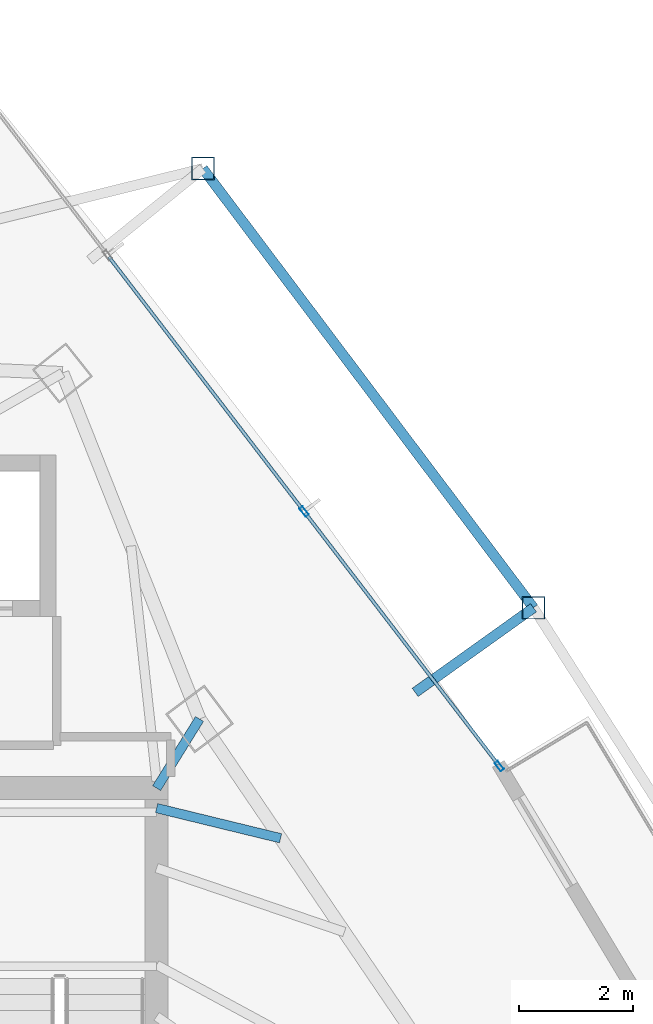
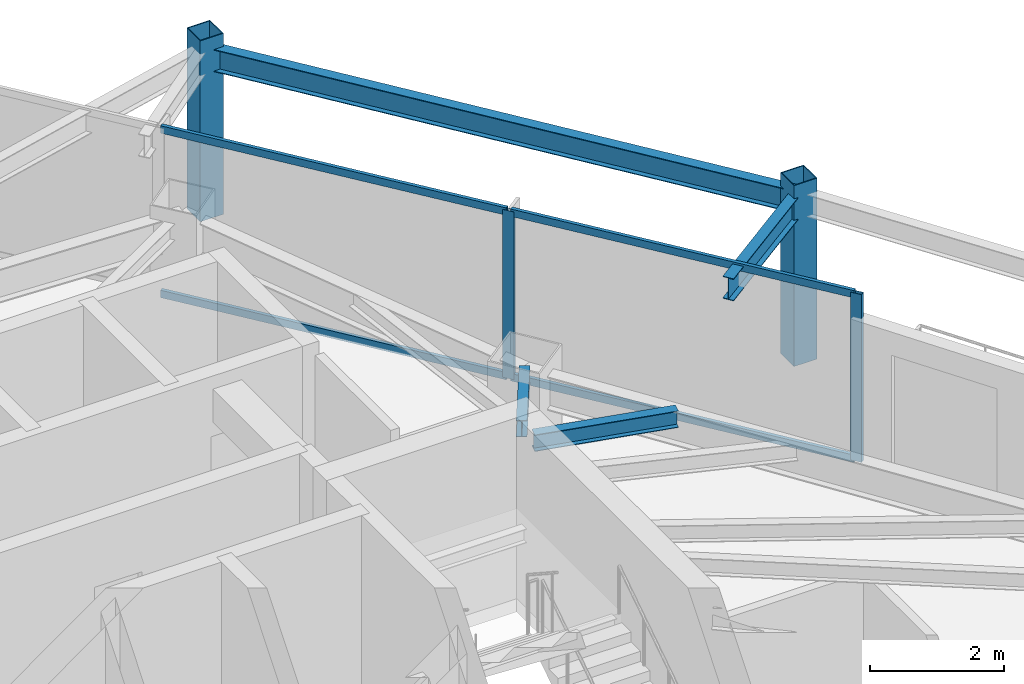
# One storey, part 23 of 30: 8 members, 4 beams, 1 element without a shape of its own.
"""IFC4 building model written with IfcOpenShell, lengths in metres."""

import ifcopenshell
import ifcopenshell.guid

model = None  # the IFC model being written
_history = None  # IfcOwnerHistory: only IFC2X3 demands one
_inside = {}  # id of a spatial element -> (the spatial element, [elements in it])
_under = {}  # id of a project, library or spatial element -> (it, [spatial elements below it])
_declared = {}  # id of a project -> (the project, [libraries it declares])
_typed = {}  # id of a type object -> (the type object, [elements of that type])
_made_of = {}  # id of a material, layer set ... -> (it, [elements and type objects made of it])


def new_model(schema):
    """Start an empty IFC model of exactly this schema.

    Asked for "IFC4X3", IfcOpenShell would pick the latest addendum, in which some entities
    have other attributes; the version numbers below select the first issue.
    IFC2X3 requires an IfcOwnerHistory on every rooted entity: one is made here for all.
    """
    global model, _history
    if schema == "IFC4X3":
        model = ifcopenshell.file(schema_version=(4, 3, 0, 0))
    else:
        model = ifcopenshell.file(schema=schema)
    _inside.clear()
    _under.clear()
    _declared.clear()
    _typed.clear()
    _made_of.clear()
    _history = None
    if model.schema == "IFC2X3":
        org = make("IfcOrganization", Name="unknown")
        user = make(
            "IfcPersonAndOrganization",
            ThePerson=make("IfcPerson", FamilyName="unknown"),
            TheOrganization=org,
        )
        app = make(
            "IfcApplication",
            ApplicationDeveloper=org,
            Version="unknown",
            ApplicationFullName="unknown",
            ApplicationIdentifier="unknown",
        )
        _history = make(
            "IfcOwnerHistory",
            OwningUser=user,
            OwningApplication=app,
            ChangeAction="ADDED",
            CreationDate=0,
        )
    return model


def make(cls, **values):
    """One entity of the class cls with the attributes given. An attribute that is None is left unset."""
    return model.create_entity(
        cls, **{name: value for name, value in values.items() if value is not None}
    )


def rooted(cls, **values):
    """An entity with a GlobalId (a new one), such as an element, a storey or a relation."""
    return make(cls, GlobalId=ifcopenshell.guid.new(), OwnerHistory=_history, **values)


def si_unit(unit_type, name, prefix=None):
    """IfcSIUnit, for example si_unit("LENGTHUNIT", "METRE", prefix="MILLI")."""
    return make("IfcSIUnit", UnitType=unit_type, Prefix=prefix, Name=name)


def assignment(units):
    """IfcUnitAssignment: the units of a project."""
    return None if units is None else make("IfcUnitAssignment", Units=units)


def point(xyz):
    """IfcCartesianPoint."""
    return None if xyz is None else make("IfcCartesianPoint", Coordinates=xyz)


def direction(xyz):
    """IfcDirection."""
    return None if xyz is None else make("IfcDirection", DirectionRatios=xyz)


def frame(location, z_axis=None, x_axis=None):
    """IfcAxis2Placement3D, a coordinate frame: its origin and axes. An axis left out is left unset."""
    return make(
        "IfcAxis2Placement3D",
        Location=point(location),
        Axis=direction(z_axis),
        RefDirection=direction(x_axis),
    )


def frame_2d(location, x_axis=None):
    """IfcAxis2Placement2D, a coordinate frame in the plane: its origin and x axis."""
    return make(
        "IfcAxis2Placement2D", Location=point(location), RefDirection=direction(x_axis)
    )


def origin():
    """The frame at (0, 0, 0) with its axes left unset."""
    return frame((0.0, 0.0, 0.0))


def origin_2d():
    """The frame at (0, 0) in the plane with its x axis left unset."""
    return frame_2d((0.0, 0.0))


def place(relative_to, where):
    """IfcLocalPlacement: puts the frame where relative to a parent placement (None: the world)."""
    return make(
        "IfcLocalPlacement", PlacementRelTo=relative_to, RelativePlacement=where
    )


def context(
    kind, dimensions, precision=None, world=None, true_north=None, identifier=None
):
    """IfcGeometricRepresentationContext, for example the 3D "Model" context."""
    return make(
        "IfcGeometricRepresentationContext",
        ContextIdentifier=identifier,
        ContextType=kind,
        CoordinateSpaceDimension=dimensions,
        Precision=precision,
        WorldCoordinateSystem=world,
        TrueNorth=true_north,
    )


def subcontext(parent, identifier, kind, view, scale=None):
    """IfcGeometricRepresentationSubContext, for example "Body" below "Model"."""
    return make(
        "IfcGeometricRepresentationSubContext",
        ContextIdentifier=identifier,
        ContextType=kind,
        ParentContext=parent,
        TargetScale=scale,
        TargetView=view,
    )


def project(units=None, contexts=None):
    """IfcProject with its units and contexts."""
    return rooted(
        "IfcProject",
        Name="project",
        RepresentationContexts=contexts,
        UnitsInContext=assignment(units),
    )


def spatial(cls, under=None, at=None, **own):
    """A site, building, storey or space (cls), placed at a placement, below another one or the project."""
    s = rooted(cls, ObjectPlacement=at, **own)
    if under is not None:
        _under.setdefault(under.id(), (under, []))[1].append(s)
    return s


def profile(cls, at=None, kind="AREA", **sizes):
    """A parametric profile (cls). Its sizes go by their IFC names, for example OverallWidth=200.0."""
    return make(cls, ProfileType=kind, Position=at, **sizes)


def hollow_rectangle(**sizes):
    """IfcRectangleHollowProfileDef."""
    return profile("IfcRectangleHollowProfileDef", **sizes)


def i_section(**sizes):
    """IfcIShapeProfileDef."""
    return profile("IfcIShapeProfileDef", **sizes)


def extrude(swept, where, along, depth):
    """IfcExtrudedAreaSolid: the profile swept, set in the frame where, extruded along a direction by depth."""
    return make(
        "IfcExtrudedAreaSolid",
        SweptArea=swept,
        Position=where,
        ExtrudedDirection=direction(along),
        Depth=depth,
    )


def shape(context_of_items, identifier, shape_type, items):
    """IfcShapeRepresentation: the items that make up one representation, for example the "Body"."""
    return make(
        "IfcShapeRepresentation",
        ContextOfItems=context_of_items,
        RepresentationIdentifier=identifier,
        RepresentationType=shape_type,
        Items=items,
    )


def material(Name=None, Category=None):
    """IfcMaterial."""
    return make("IfcMaterial", Name=Name, Category=Category)


def layer(
    of_material, thickness, ventilated=None, Name=None, Category=None, Priority=None
):
    """IfcMaterialLayer: one layer of a wall or slab, of a material (None: an air gap)."""
    return make(
        "IfcMaterialLayer",
        Material=of_material,
        LayerThickness=thickness,
        IsVentilated=ventilated,
        Name=Name,
        Category=Category,
        Priority=Priority,
    )


def layer_set(layers, Name=None):
    """IfcMaterialLayerSet."""
    return make("IfcMaterialLayerSet", MaterialLayers=layers, LayerSetName=Name)


def material_profile(
    of_material, cross_section, Name=None, Category=None, Priority=None
):
    """IfcMaterialProfile: a cross section and its material."""
    return make(
        "IfcMaterialProfile",
        Name=Name,
        Material=of_material,
        Profile=cross_section,
        Priority=Priority,
        Category=Category,
    )


def profile_set(profiles, Name=None, composite=None):
    """IfcMaterialProfileSet."""
    return make(
        "IfcMaterialProfileSet",
        Name=Name,
        MaterialProfiles=profiles,
        CompositeProfile=composite,
    )


def made_of(thing, what):
    """Note that an element or type object is made of a material, layer set ...; save() writes the relation."""
    if what is not None:
        _made_of.setdefault(what.id(), (what, []))[1].append(thing)
    return thing


def type_object(cls, material=None, **own):
    """A type object (cls), such as IfcWallType, which elements share."""
    return made_of(rooted(cls, **own), material)


def element(
    cls,
    number,
    at=None,
    inside=None,
    cuts=None,
    type_object=None,
    material=None,
    context=None,
    identifier="Body",
    shape_type=None,
    held_by="IfcProductDefinitionShape",
    body=None,
    shapes=None,
    **own,
):
    """One element of the class cls, such as IfcWall. Its Tag is "e" and its number.

    at: its placement. inside: the storey or other place that contains it. cuts: it is an
    opening in that element (IfcRelVoidsElement). A single representation is given by context,
    identifier, shape_type and body (its items); several are given by shapes. held_by: the class
    of the entity that holds the representations. save() writes the other relations.
    """
    e = rooted(cls, Tag="e%d" % number, ObjectPlacement=at, **own)
    if body is not None:
        shapes = [shape(context, identifier, shape_type, body)]
    if shapes is not None:
        e.Representation = make(held_by, Representations=shapes)
    if inside is not None:
        _inside.setdefault(inside.id(), (inside, []))[1].append(e)
    if cuts is not None:
        rooted(
            "IfcRelVoidsElement", RelatingBuildingElement=cuts, RelatedOpeningElement=e
        )
    if type_object is not None:
        _typed.setdefault(type_object.id(), (type_object, []))[1].append(e)
    return made_of(e, material)


def aggregate(whole, parts):
    """IfcRelAggregates: a whole, such as a stair, and the parts it consists of."""
    return rooted("IfcRelAggregates", RelatingObject=whole, RelatedObjects=parts)


def save(model, path):
    """Write the relations noted so far, then the file.

    IfcRelAggregates (storeys below a building ...), IfcRelContainedInSpatialStructure (elements
    in a storey), IfcRelDefinesByType, IfcRelAssociatesMaterial and IfcRelDeclares: one each for
    every whole, place, type object, material and project.
    """
    for whole, parts in _under.values():
        aggregate(whole, parts)
    for where, things in _inside.values():
        rooted(
            "IfcRelContainedInSpatialStructure",
            RelatedElements=things,
            RelatingStructure=where,
        )
    for kind, things in _typed.values():
        rooted("IfcRelDefinesByType", RelatedObjects=things, RelatingType=kind)
    for what, things in _made_of.values():
        rooted("IfcRelAssociatesMaterial", RelatedObjects=things, RelatingMaterial=what)
    for by, libraries in _declared.values():
        rooted("IfcRelDeclares", RelatingContext=by, RelatedDefinitions=libraries)
    model.write(path)


model = new_model("IFC4")

# Units and contexts
model_context = context("Model", 3, precision=1e-05, world=origin(), true_north=direction((0.0, 1.0)))
body_context = subcontext(model_context, "Body", "Model", "MODEL_VIEW")
ifc_project = project(units=[si_unit("LENGTHUNIT", "METRE"), si_unit("AREAUNIT", "SQUARE_METRE"), si_unit("VOLUMEUNIT", "CUBIC_METRE"), si_unit("PLANEANGLEUNIT", "RADIAN"), si_unit("MASSUNIT", "GRAM", prefix="KILO")], contexts=[model_context])

# Site, building, storey
site_placement = place(None, origin())
site = spatial("IfcSite", under=ifc_project, at=site_placement, CompositionType="ELEMENT")
building_placement = place(site_placement, origin())
building = spatial("IfcBuilding", under=site, at=building_placement, Name="Orvanel Arch Residences", CompositionType="ELEMENT")
storey_placement = place(building_placement, frame((0.0, 0.0, 139.699951171875)))
storey = spatial("IfcBuildingStorey", under=building, at=storey_placement, Name="L39", CompositionType="ELEMENT", Elevation=139.699951171875)

# Beams
ifc_material_1 = material(Name="Structural steel AS/NZS 3679.1 Grade 300 (300 MPa)", Category="steel")
ifc_material_profile_1 = material_profile(ifc_material_1, i_section(OverallWidth=0.1650390625, OverallDepth=0.303955078125, WebThickness=0.006103515625, FlangeThickness=0.01025390625, at=origin_2d()), Name="310UB40.4")
ifc_profile_set_1 = profile_set([ifc_material_profile_1], Name="Structural steel AS/NZS 3679.1 Grade 300 (300 MPa)")
beam_type_1 = type_object("IfcBeamType", Name="BJ-310UB", PredefinedType="JOIST", material=ifc_profile_set_1)
beam_1_placement = place(storey_placement, frame((39.60009765625, 33.89990234375, 2.907958984375), z_axis=(0.526843290616, 0.84996243866, 0.0), x_axis=(-0.84996243866, 0.526843290616, 0.0)))
element("IfcBeam", 1, at=beam_1_placement, inside=storey, type_object=beam_type_1, Name="L39 NNE Wing Floor Joist", PredefinedType="JOIST", context=body_context, shape_type="SweptSolid", body=[
    extrude(i_section(OverallWidth=0.1650390625, OverallDepth=0.303955078125, WebThickness=0.006103515625, FlangeThickness=0.01025390625, at=origin_2d()), origin(), (0.0, 0.0, 1.0), 1.42724609375),
])
beam_2_placement = place(storey_placement, frame((39.60009765625, 33.550048828125, 2.907958984375), z_axis=(0.971638471014, -0.236471312521, 0.0), x_axis=(0.236471312521, 0.971638471014, 0.0)))
element("IfcBeam", 2, at=beam_2_placement, inside=storey, type_object=beam_type_1, Name="L39 JADD4 Wing Floor Joist", PredefinedType="JOIST", context=body_context, shape_type="SweptSolid", body=[
    extrude(i_section(OverallWidth=0.1650390625, OverallDepth=0.303955078125, WebThickness=0.006103515625, FlangeThickness=0.01025390625, at=origin_2d()), origin(), (0.0, 0.0, 1.0), 2.2373046875),
])

# Curtain wall, members
ifc_material_2 = material(Name="Bronze-anodised aluminium AA6063-T6", Category="aluminium")
ifc_layer = layer(ifc_material_2, 0.179931640625)
ifc_layer_set = layer_set([ifc_layer], Name="Bronze-anodised aluminium AA6063-T6")
curtain_wall_type = type_object("IfcCurtainWallType", Name="CW3-MID-SYS", PredefinedType="NOTDEFINED", material=ifc_layer_set)
curtain_wall_placement = place(storey_placement, origin())
curtain_wall = element("IfcCurtainWall", 3, at=curtain_wall_placement, inside=storey, type_object=curtain_wall_type, Name="L39 CW3-MID-SYS Unitised Curtain Wall", PredefinedType="NOTDEFINED")
ifc_material_profile_2 = material_profile(ifc_material_2, hollow_rectangle(XDim=0.070068359375, YDim=0.179931640625, WallThickness=0.00439453125, at=origin_2d()), Name="ALU180x70x4.5")
ifc_profile_set_2 = profile_set([ifc_material_profile_2], Name="Bronze-anodised aluminium AA6063-T6")
member_type_1 = type_object("IfcMemberType", Name="MUL-180x70", PredefinedType="MULLION", material=ifc_profile_set_2)
member_1_placement = place(storey_placement, frame((45.608642578125, 34.286865234375, 0.0), z_axis=(0.0, 0.0, 1.0), x_axis=(-0.793544747169, -0.608511901478, 0.0)))
member_1 = element("IfcMember", 4, at=member_1_placement, type_object=member_type_1, Name="CW-S3 mullion 1", PredefinedType="MULLION", context=body_context, shape_type="SweptSolid", body=[
    extrude(hollow_rectangle(XDim=0.070068359375, YDim=0.179931640625, WallThickness=0.00439453125, at=origin_2d()), origin(), (0.0, 0.0, 1.0), 3.06005859375),
])
member_2_placement = place(storey_placement, frame((42.185546875, 38.750732421875, 0.0), z_axis=(0.0, 0.0, 1.0), x_axis=(-0.793544747169, -0.608511901478, 0.0)))
member_2 = element("IfcMember", 5, at=member_2_placement, type_object=member_type_1, Name="CW-S3 mullion 2", PredefinedType="MULLION", context=body_context, shape_type="SweptSolid", body=[
    extrude(hollow_rectangle(XDim=0.070068359375, YDim=0.179931640625, WallThickness=0.00439453125, at=origin_2d()), origin(), (0.0, 0.0, 1.0), 3.06005859375),
])

# Beams
ifc_material_profile_3 = material_profile(ifc_material_1, i_section(OverallWidth=0.177978515625, OverallDepth=0.406005859375, WebThickness=0.0078125, FlangeThickness=0.0126953125, at=origin_2d()), Name="410UB59.7")
ifc_profile_set_3 = profile_set([ifc_material_profile_3], Name="Structural steel AS/NZS 3679.1 Grade 300 (300 MPa)")
beam_type_2 = type_object("IfcBeamType", Name="OB-410UB-EXT", PredefinedType="SPANDREL", material=ifc_profile_set_3)
beam_3_placement = place(storey_placement, frame((44.133056640625, 35.5791015625, 2.85693359375), z_axis=(0.813584679456, 0.581446445819, 0.0), x_axis=(-0.581446445819, 0.813584679456, 0.0)))
element("IfcBeam", 6, at=beam_3_placement, inside=storey, type_object=beam_type_2, Name="L39 Outer Frame Radial Tie Beam 11", PredefinedType="SPANDREL", context=body_context, shape_type="SweptSolid", body=[
    extrude(i_section(OverallWidth=0.177978515625, OverallDepth=0.406005859375, WebThickness=0.0078125, FlangeThickness=0.0126953125, at=origin_2d()), origin(), (0.0, 0.0, 1.0), 2.55029296875),
])
beam_4_placement = place(storey_placement, frame((46.2080078125, 37.06201171875, 2.85693359375), z_axis=(-0.601421491273, 0.798931905631, 0.0), x_axis=(-0.798931905631, -0.601421491273, 0.0)))
element("IfcBeam", 7, at=beam_4_placement, inside=storey, type_object=beam_type_2, Name="L39 Outer Perimeter Floor Ring Beam 11", PredefinedType="SPANDREL", context=body_context, shape_type="SweptSolid", body=[
    extrude(i_section(OverallWidth=0.177978515625, OverallDepth=0.406005859375, WebThickness=0.0078125, FlangeThickness=0.0126953125, at=origin_2d()), origin(), (0.0, 0.0, 1.0), 9.638916015625),
])

# Members
ifc_material_3 = material(Name="Structural steel AS/NZS 1163 C450L0 (Grade 450)", Category="steel")
ifc_material_profile_4 = material_profile(ifc_material_3, hollow_rectangle(XDim=0.39990234375, YDim=0.39990234375, WallThickness=0.01611328125, at=origin_2d()), Name="SHS400x400x16")
ifc_profile_set_4 = profile_set([ifc_material_profile_4], Name="Structural steel AS/NZS 1163 C450L0 (Grade 450)")
member_type_2 = type_object("IfcMemberType", Name="ST-400SHS-EXT", PredefinedType="STRUT", material=ifc_profile_set_4)
for number, where, z_axis, x_axis, name in (
    (8, (46.2080078125, 37.06201171875, 0.0), (0.0, 0.0, 1.0), (1.0, 0.0, 0.0), "L39 Outer Perimeter Frame Post 11"),
    (9, (40.410888671875, 44.762939453125, 0.0), (0.0, 0.0, 1.0), (1.0, 0.0, 0.0), "L39 Outer Perimeter Frame Post 12"),
):
    element("IfcMember", number, at=place(storey_placement, frame(where, z_axis=z_axis, x_axis=x_axis)), inside=storey, type_object=member_type_2, Name=name, PredefinedType="STRUT", context=body_context, shape_type="SweptSolid", body=[
        extrude(hollow_rectangle(XDim=0.39990234375, YDim=0.39990234375, WallThickness=0.01611328125, at=origin_2d()), origin(), (0.0, 0.0, 1.0), 3.300048828125),
    ])

# Member
ifc_material_profile_5 = material_profile(ifc_material_2, hollow_rectangle(XDim=0.06005859375, YDim=0.135009765625, WallThickness=0.00390625, at=origin_2d()), Name="ALU135x60x4")
ifc_profile_set_5 = profile_set([ifc_material_profile_5], Name="Bronze-anodised aluminium AA6063-T6")
member_type_3 = type_object("IfcMemberType", Name="TRN-135x60", PredefinedType="USERDEFINED", material=ifc_profile_set_5)
member_3_placement = place(storey_placement, frame((45.58740234375, 34.314453125, 0.030029296875), z_axis=(-0.608495202332, 0.793557552254, 0.0), x_axis=(-0.793557552254, -0.608495202332, 0.0)))
member_3 = element("IfcMember", 10, at=member_3_placement, type_object=member_type_3, Name="CW-S3 transom 1.1", ObjectType="TRANSOM", PredefinedType="USERDEFINED", context=body_context, shape_type="SweptSolid", body=[
    extrude(hollow_rectangle(XDim=0.06005859375, YDim=0.135009765625, WallThickness=0.00390625, at=origin_2d()), origin(), (0.0, 0.0, 1.0), 5.55517578125),
])

member_4_placement = place(storey_placement, frame((45.58740234375, 34.314453125, 3.030029296875), z_axis=(-0.608495202332, 0.793557552254, 0.0), x_axis=(-0.793557552254, -0.608495202332, 0.0)))
member_4 = element("IfcMember", 11, at=member_4_placement, type_object=member_type_3, Name="CW-S3 transom 1.2", ObjectType="TRANSOM", PredefinedType="USERDEFINED", context=body_context, shape_type="SweptSolid", body=[
    extrude(hollow_rectangle(XDim=0.06005859375, YDim=0.135009765625, WallThickness=0.00390625, at=origin_2d()), origin(), (0.0, 0.0, 1.0), 5.55517578125),
])

member_5_placement = place(storey_placement, frame((42.164306640625, 38.7783203125, 0.030029296875), z_axis=(-0.608483802201, 0.793566293676, 0.0), x_axis=(-0.793566293676, -0.608483802201, 0.0)))
member_5 = element("IfcMember", 12, at=member_5_placement, type_object=member_type_3, Name="CW-S3 transom 2.1", ObjectType="TRANSOM", PredefinedType="USERDEFINED", context=body_context, shape_type="SweptSolid", body=[
    extrude(hollow_rectangle(XDim=0.06005859375, YDim=0.135009765625, WallThickness=0.00390625, at=origin_2d()), origin(), (0.0, 0.0, 1.0), 5.59033203125),
])

member_6_placement = place(storey_placement, frame((42.164306640625, 38.7783203125, 3.030029296875), z_axis=(-0.608483802201, 0.793566293676, 0.0), x_axis=(-0.793566293676, -0.608483802201, 0.0)))
member_6 = element("IfcMember", 13, at=member_6_placement, type_object=member_type_3, Name="CW-S3 transom 2.2", ObjectType="TRANSOM", PredefinedType="USERDEFINED", context=body_context, shape_type="SweptSolid", body=[
    extrude(hollow_rectangle(XDim=0.06005859375, YDim=0.135009765625, WallThickness=0.00390625, at=origin_2d()), origin(), (0.0, 0.0, 1.0), 5.59033203125),
])

aggregate(curtain_wall, [member_1, member_2, member_3, member_4, member_5, member_6])

save(model, "model.ifc")
